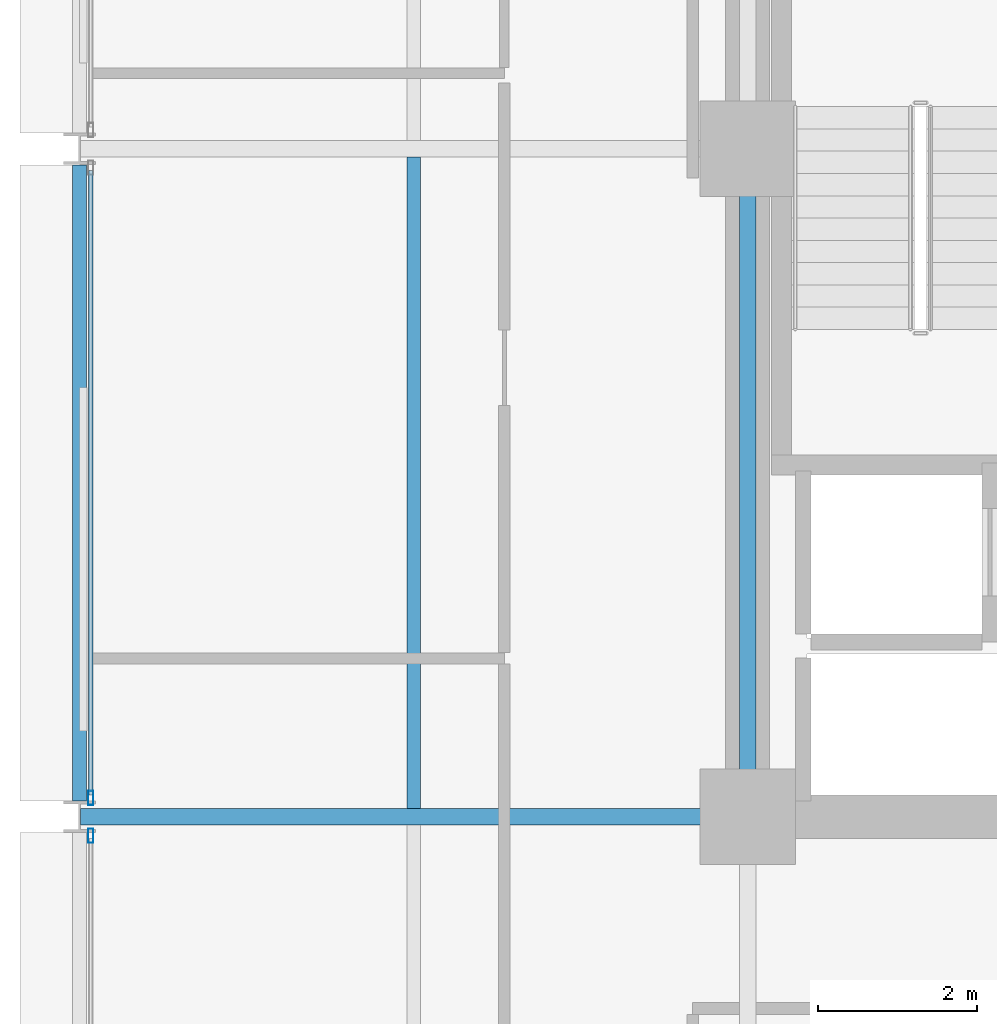
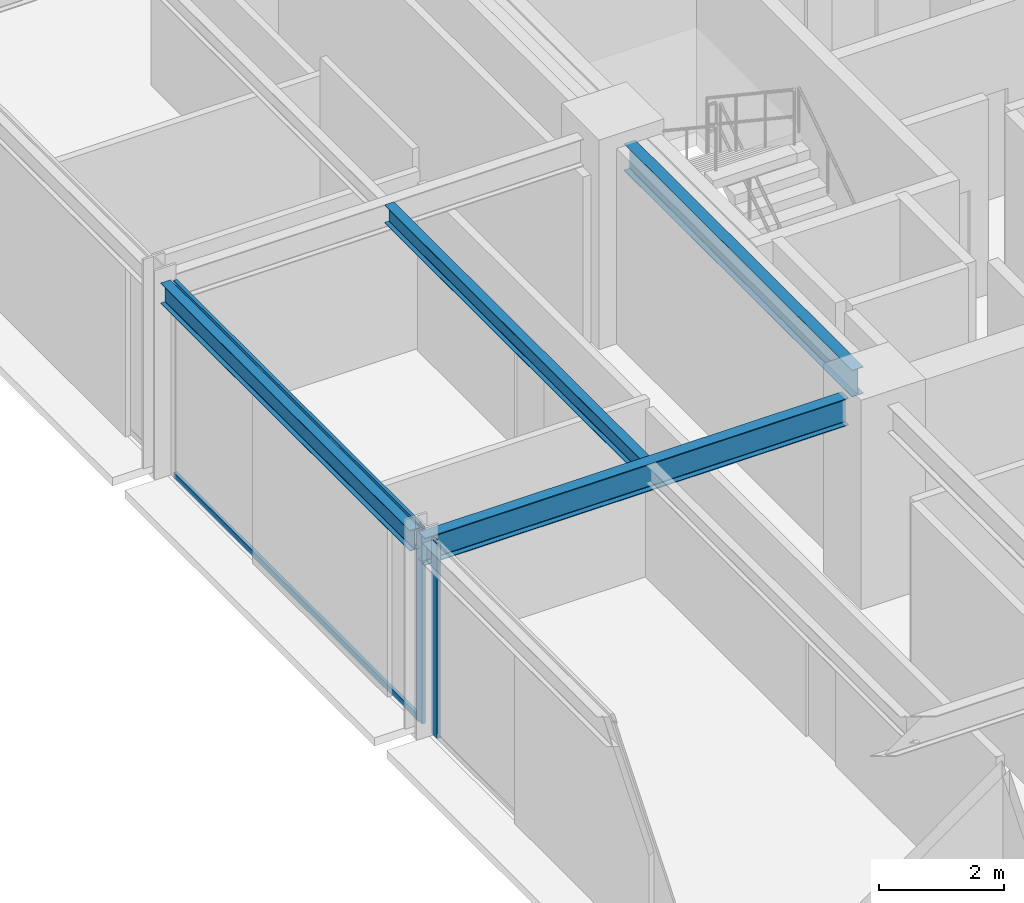
# One storey, part 10 of 30: 4 beams, 4 members, 2 elements without a shape of their own.
"""IFC4 building model written with IfcOpenShell, lengths in metres."""

from ifc_helpers import new_model, si_unit, direction, frame, origin, origin_2d, place, context, subcontext, project, spatial, hollow_rectangle, i_section, extrude, material, layer, layer_set, material_profile, profile_set, type_object, element, aggregate, save


model = new_model("IFC4")

# Units and contexts
model_context = context("Model", 3, precision=1e-05, world=origin(), true_north=direction((0.0, 1.0)))
body_context = subcontext(model_context, "Body", "Model", "MODEL_VIEW")
ifc_project = project(units=[si_unit("LENGTHUNIT", "METRE"), si_unit("AREAUNIT", "SQUARE_METRE"), si_unit("VOLUMEUNIT", "CUBIC_METRE"), si_unit("PLANEANGLEUNIT", "RADIAN"), si_unit("MASSUNIT", "GRAM", prefix="KILO")], contexts=[model_context])

# Site, building, storey
site_placement = place(None, origin())
site = spatial("IfcSite", under=ifc_project, at=site_placement, CompositionType="ELEMENT")
building_placement = place(site_placement, origin())
building = spatial("IfcBuilding", under=site, at=building_placement, Name="Nerrivon Quay Data Exchange", CompositionType="ELEMENT")
storey_placement = place(building_placement, frame((0.0, 0.0, 129.5)))
storey = spatial("IfcBuildingStorey", under=building, at=storey_placement, Name="L30", CompositionType="ELEMENT", Elevation=129.5)

# Beams
ifc_material_1 = material(Name="Steel Grade 350", Category="steel")
ifc_material_profile_1 = material_profile(ifc_material_1, i_section(OverallWidth=0.208984375, OverallDepth=0.532958984375, WebThickness=0.01025390625, FlangeThickness=0.015625, FilletRadius=0.013916015625, at=origin_2d()), Name="530UB92.4")
ifc_profile_set_1 = profile_set([ifc_material_profile_1], Name="Steel Grade 350")
beam_type_1 = type_object("IfcBeamType", Name="BM-G3-530UB92", PredefinedType="BEAM", material=ifc_profile_set_1)
beam_1_placement = place(storey_placement, frame((0.012451171875, 25.199951171875, 3.55859375), z_axis=(1.0, 0.0, 0.0), x_axis=(0.0, 1.0, 0.0)))
element("IfcBeam", 1, at=beam_1_placement, inside=storey, type_object=beam_type_1, Name="L30 EW Girder Y=25.2 (0.0..8.4)", PredefinedType="BEAM", context=body_context, shape_type="SweptSolid", body=[
    extrude(i_section(OverallWidth=0.208984375, OverallDepth=0.532958984375, WebThickness=0.01025390625, FlangeThickness=0.015625, FilletRadius=0.013916015625, at=origin_2d()), origin(), (0.0, 0.0, 1.0), 7.84765625),
])
ifc_material_profile_2 = material_profile(ifc_material_1, i_section(OverallWidth=0.208984375, OverallDepth=0.528076171875, WebThickness=0.009521484375, FlangeThickness=0.01318359375, FilletRadius=0.013916015625, at=origin_2d()), Name="530UB82.0")
ifc_profile_set_2 = profile_set([ifc_material_profile_2], Name="Steel Grade 350")
beam_type_2 = type_object("IfcBeamType", Name="BM-G4-530UB82", PredefinedType="BEAM", material=ifc_profile_set_2)
beam_2_placement = place(storey_placement, frame((8.39990234375, 25.739990234375, 3.56103515625), z_axis=(0.0, 1.0, 0.0), x_axis=(-1.0, 0.0, 0.0)))
element("IfcBeam", 2, at=beam_2_placement, inside=storey, type_object=beam_type_2, Name="L30 NS Girder X=8.4 (25.2..33.6)", PredefinedType="BEAM", context=body_context, shape_type="SweptSolid", body=[
    extrude(i_section(OverallWidth=0.208984375, OverallDepth=0.528076171875, WebThickness=0.009521484375, FlangeThickness=0.01318359375, FilletRadius=0.013916015625, at=origin_2d()), origin(), (0.0, 0.0, 1.0), 7.320068359375),
])
ifc_material_profile_3 = material_profile(ifc_material_1, i_section(OverallWidth=0.1708984375, OverallDepth=0.35595703125, WebThickness=0.00732421875, FlangeThickness=0.011474609375, FilletRadius=0.011474609375, at=origin_2d()), Name="360UB50.7")
ifc_profile_set_3 = profile_set([ifc_material_profile_3], Name="Steel Grade 350")
beam_type_3 = type_object("IfcBeamType", Name="BM-J4-360UB51", PredefinedType="JOIST", material=ifc_profile_set_3)
beam_3_placement = place(storey_placement, frame((4.199951171875, 25.304443359375, 3.64697265625), z_axis=(0.0, 1.0, 0.0), x_axis=(-1.0, 0.0, 0.0)))
element("IfcBeam", 3, at=beam_3_placement, inside=storey, type_object=beam_type_3, Name="L30 Secondary Joist X=4.2 (25.2..33.6)", PredefinedType="JOIST", context=body_context, shape_type="SweptSolid", body=[
    extrude(i_section(OverallWidth=0.1708984375, OverallDepth=0.35595703125, WebThickness=0.00732421875, FlangeThickness=0.011474609375, FilletRadius=0.011474609375, at=origin_2d()), origin(), (0.0, 0.0, 1.0), 8.191162109375),
])
ifc_material_profile_4 = material_profile(ifc_material_1, i_section(OverallWidth=0.177978515625, OverallDepth=0.403076171875, WebThickness=0.007568359375, FlangeThickness=0.010986328125, FilletRadius=0.011474609375, at=origin_2d()), Name="410UB53.7")
ifc_profile_set_4 = profile_set([ifc_material_profile_4], Name="Steel Grade 350")
beam_type_4 = type_object("IfcBeamType", Name="BM-SP2-410UB54", PredefinedType="SPANDREL", material=ifc_profile_set_4)
beam_4_placement = place(storey_placement, frame((0.0, 25.39990234375, 3.62353515625), z_axis=(0.0, 1.0, 0.0), x_axis=(-1.0, 0.0, 0.0)))
element("IfcBeam", 4, at=beam_4_placement, inside=storey, type_object=beam_type_4, Name="L30 NS Girder X=0.0 (25.2..33.6)", PredefinedType="SPANDREL", context=body_context, shape_type="SweptSolid", body=[
    extrude(i_section(OverallWidth=0.177978515625, OverallDepth=0.403076171875, WebThickness=0.007568359375, FlangeThickness=0.010986328125, FilletRadius=0.011474609375, at=origin_2d()), origin(), (0.0, 0.0, 1.0), 8.0),
])

# Curtain wall, member
ifc_material_2 = material(Name="Anodised aluminium 6063-T6", Category="aluminium")
ifc_layer = layer(ifc_material_2, 0.2099609375)
ifc_layer_set = layer_set([ifc_layer], Name="Anodised aluminium 6063-T6")
curtain_wall_type = type_object("IfcCurtainWallType", Name="CW-SYS-02", PredefinedType="NOTDEFINED", material=ifc_layer_set)
curtain_wall_1_placement = place(storey_placement, origin())
curtain_wall_1 = element("IfcCurtainWall", 5, at=curtain_wall_1_placement, inside=storey, type_object=curtain_wall_type, Name="L30 Unitised Curtain Wall 13", PredefinedType="NOTDEFINED")
ifc_material_profile_5 = material_profile(ifc_material_2, hollow_rectangle(XDim=0.06494140625, YDim=0.179931640625, WallThickness=0.00341796875, at=origin_2d()), Name="ALU-MULL-180x65")
ifc_profile_set_5 = profile_set([ifc_material_profile_5], Name="Anodised aluminium 6063-T6")
member_type_1 = type_object("IfcMemberType", Name="CWM-180x65", PredefinedType="MULLION", material=ifc_profile_set_5)
member_1_placement = place(storey_placement, frame((0.139892578125, 24.96240234375, 0.0), z_axis=(0.0, 0.0, 1.0), x_axis=(-1.0, 0.0, 0.0)))
member_1 = element("IfcMember", 6, at=member_1_placement, type_object=member_type_1, Name="CW02 mullion 2", PredefinedType="MULLION", context=body_context, shape_type="SweptSolid", body=[
    extrude(hollow_rectangle(XDim=0.06494140625, YDim=0.179931640625, WallThickness=0.00341796875, at=origin_2d()), origin(), (0.0, 0.0, 1.0), 3.824951171875),
])
aggregate(curtain_wall_1, [member_1])

# Curtain wall, members
curtain_wall_2_placement = place(storey_placement, origin())
curtain_wall_2 = element("IfcCurtainWall", 7, at=curtain_wall_2_placement, inside=storey, type_object=curtain_wall_type, Name="L30 Unitised Curtain Wall 14", PredefinedType="NOTDEFINED")
member_2_placement = place(storey_placement, frame((0.139892578125, 25.4375, 0.0), z_axis=(0.0, 0.0, 1.0), x_axis=(-1.0, 0.0, 0.0)))
member_2 = element("IfcMember", 8, at=member_2_placement, type_object=member_type_1, Name="CW02 mullion 1", PredefinedType="MULLION", context=body_context, shape_type="SweptSolid", body=[
    extrude(hollow_rectangle(XDim=0.06494140625, YDim=0.179931640625, WallThickness=0.00341796875, at=origin_2d()), origin(), (0.0, 0.0, 1.0), 3.824951171875),
])
ifc_material_profile_6 = material_profile(ifc_material_2, hollow_rectangle(XDim=0.06005859375, YDim=0.1201171875, WallThickness=0.003173828125, at=origin_2d()), Name="ALU-TRAN-120x60")
ifc_profile_set_6 = profile_set([ifc_material_profile_6], Name="Anodised aluminium 6063-T6")
member_type_2 = type_object("IfcMemberType", Name="CWT-120x60", PredefinedType="USERDEFINED", material=ifc_profile_set_6)
member_3_placement = place(storey_placement, frame((0.139892578125, 25.47509765625, 0.032470703125), z_axis=(0.0, 1.0, 0.0), x_axis=(-1.0, 0.0, 0.0)))
member_3 = element("IfcMember", 9, at=member_3_placement, type_object=member_type_2, Name="CW02 transom 1.1", ObjectType="TRANSOM", PredefinedType="USERDEFINED", context=body_context, shape_type="SweptSolid", body=[
    extrude(hollow_rectangle(XDim=0.06005859375, YDim=0.1201171875, WallThickness=0.003173828125, at=origin_2d()), origin(), (0.0, 0.0, 1.0), 7.849853515625),
])
member_4_placement = place(storey_placement, frame((0.139892578125, 25.47509765625, 3.79248046875), z_axis=(0.0, 1.0, 0.0), x_axis=(-1.0, 0.0, 0.0)))
member_4 = element("IfcMember", 10, at=member_4_placement, type_object=member_type_2, Name="CW02 transom 1.2", ObjectType="TRANSOM", PredefinedType="USERDEFINED", context=body_context, shape_type="SweptSolid", body=[
    extrude(hollow_rectangle(XDim=0.06005859375, YDim=0.1201171875, WallThickness=0.003173828125, at=origin_2d()), origin(), (0.0, 0.0, 1.0), 7.849853515625),
])
aggregate(curtain_wall_2, [member_2, member_3, member_4])

save(model, "model.ifc")
